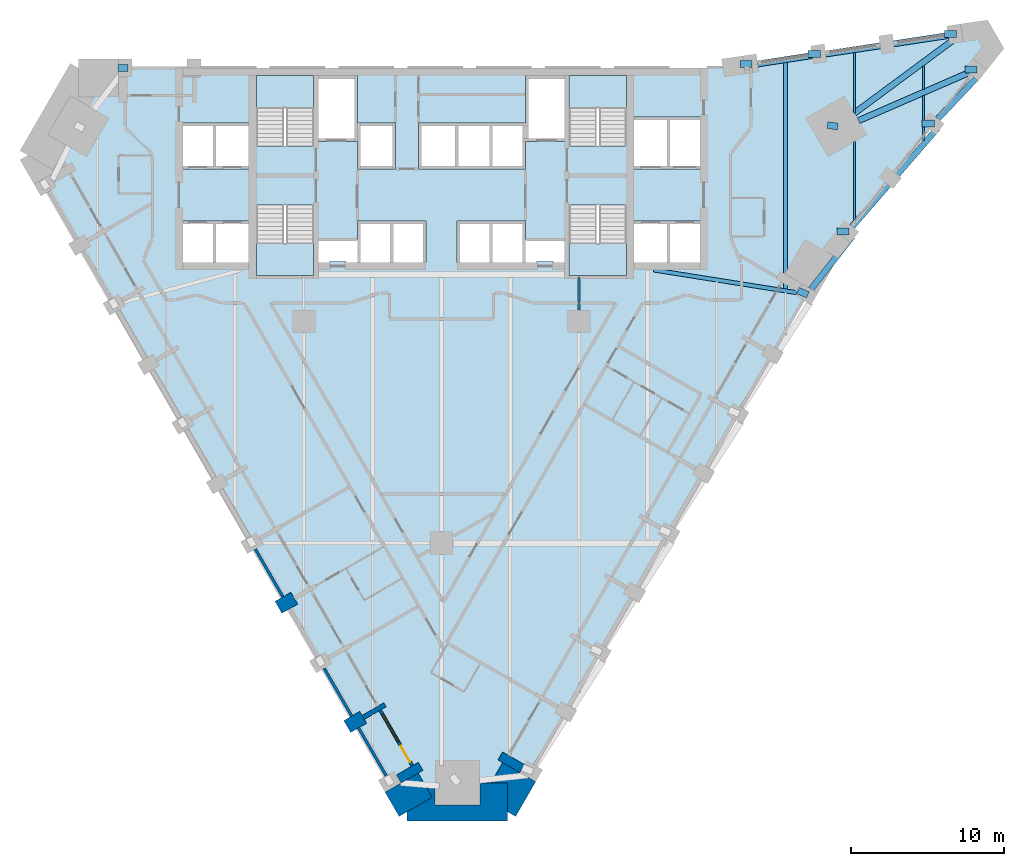
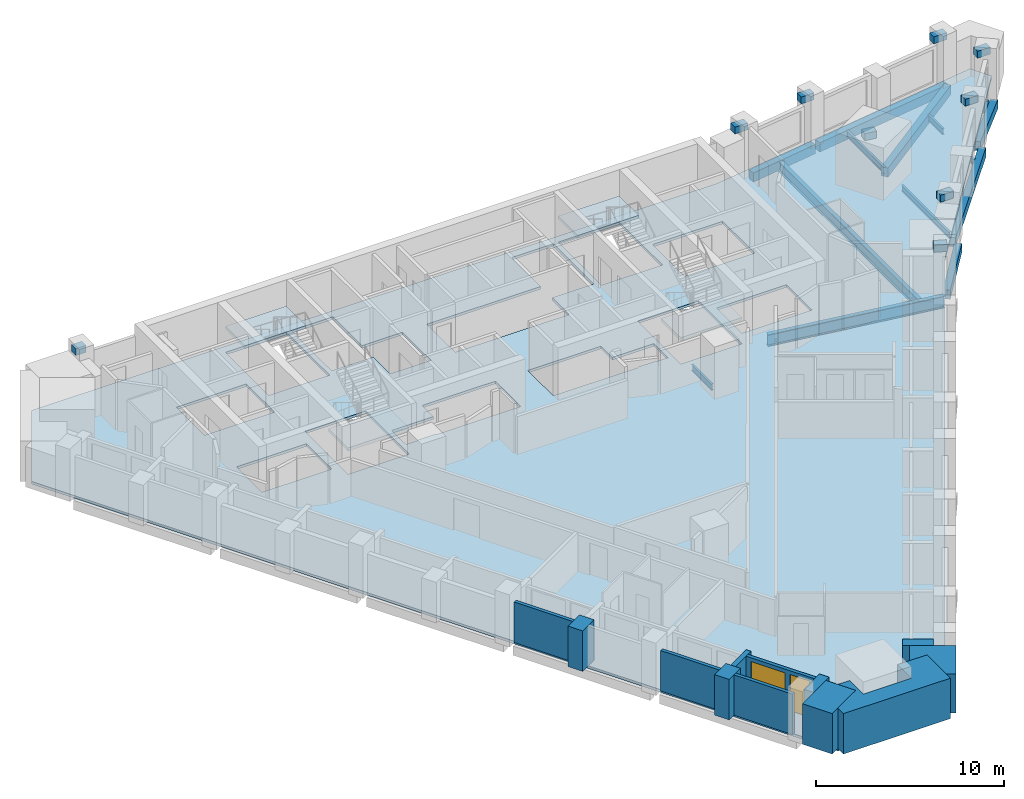
# One storey, part 2 of 10: 23 beams, 12 walls, 5 slabs, 1 door, 1 window, 2 openings, 4 elements without a shape of their own.
"""IFC4 building model written with IfcOpenShell, lengths in metres."""

from ifc_helpers import new_model, si_unit, direction, frame, frame_2d, origin, origin_2d, place, context, subcontext, project, spatial, polyline, rectangle, i_section, outline, extrude, material, layer, layer_set, material_profile, profile_set, type_object, element, fill, aggregate, save


model = new_model("IFC4")

# Units and contexts
model_context = context("Model", 3, precision=1e-05, world=origin(), true_north=direction((0.0, 1.0)))
body_context = subcontext(model_context, "Body", "Model", "MODEL_VIEW")
ifc_project = project(units=[si_unit("LENGTHUNIT", "METRE"), si_unit("AREAUNIT", "SQUARE_METRE"), si_unit("VOLUMEUNIT", "CUBIC_METRE"), si_unit("PLANEANGLEUNIT", "RADIAN"), si_unit("MASSUNIT", "GRAM", prefix="KILO")], contexts=[model_context])

# Site, building, storey
site_placement = place(None, origin())
site = spatial("IfcSite", under=ifc_project, at=site_placement, CompositionType="ELEMENT")
building_placement = place(site_placement, origin())
building = spatial("IfcBuilding", under=site, at=building_placement, Name="Calabash Gate Tower", CompositionType="ELEMENT")
storey_placement = place(building_placement, frame((0.0, 0.0, 108.800048828125)))
storey = spatial("IfcBuildingStorey", under=building, at=storey_placement, Name="L24", CompositionType="ELEMENT", Elevation=108.800048828125)

# Beams
ifc_material_1 = material(Name="Concrete C80/95", Category="concrete")
ifc_material_profile_1 = material_profile(ifc_material_1, rectangle(XDim=0.449951171875, YDim=0.449951171875, at=origin_2d()))
ifc_profile_set_1 = profile_set([ifc_material_profile_1], Name="Concrete C80/95")
beam_type_1 = type_object("IfcBeamType", Name="Column offset link RC 450x450 Concrete C80/95", PredefinedType="BEAM", material=ifc_profile_set_1)
beam_1_placement = place(storey_placement, frame((25.906005859375, 15.22998046875, 3.00390625), z_axis=(-0.989877870012, 0.141921818127, 0.0), x_axis=(-0.141921818127, -0.989877870012, 0.0)))
element("IfcBeam", 1, at=beam_1_placement, inside=storey, type_object=beam_type_1, Name="Column offset link L24 NE", PredefinedType="BEAM", context=body_context, shape_type="SweptSolid", body=[
    extrude(rectangle(XDim=0.449951171875, YDim=0.449951171875, at=origin_2d()), origin(), (0.0, 0.0, 1.0), 0.682861328125),
])
beam_2_placement = place(storey_placement, frame((23.958984375, 4.22900390625, 3.00390625), z_axis=(-0.92144972824, 0.388497616886, 0.0), x_axis=(-0.388497616886, -0.92144972824, 0.0)))
element("IfcBeam", 2, at=beam_2_placement, inside=storey, type_object=beam_type_1, Name="Column offset link L24 P12", PredefinedType="BEAM", context=body_context, shape_type="SweptSolid", body=[
    extrude(rectangle(XDim=0.449951171875, YDim=0.449951171875, at=origin_2d()), origin(), (0.0, 0.0, 1.0), 0.71826171875),
])
beam_3_placement = place(storey_placement, frame((26.639892578125, 8.366943359375, 3.00390625), z_axis=(-1.0, 0.0, 0.0), x_axis=(0.0, -1.0, 0.0)))
element("IfcBeam", 3, at=beam_3_placement, inside=storey, type_object=beam_type_1, Name="Column offset link L24 P13", PredefinedType="BEAM", context=body_context, shape_type="SweptSolid", body=[
    extrude(rectangle(XDim=0.449951171875, YDim=0.449951171875, at=origin_2d()), origin(), (0.0, 0.0, 1.0), 0.796875),
])
beam_4_placement = place(storey_placement, frame((24.76806640625, 19.970947265625, 3.00390625), z_axis=(-1.0, 0.0, 0.0), x_axis=(0.0, -1.0, 0.0)))
element("IfcBeam", 4, at=beam_4_placement, inside=storey, type_object=beam_type_1, Name="Column offset link L24 P16", PredefinedType="BEAM", context=body_context, shape_type="SweptSolid", body=[
    extrude(rectangle(XDim=0.449951171875, YDim=0.449951171875, at=origin_2d()), origin(), (0.0, 0.0, 1.0), 0.796142578125),
])
beam_5_placement = place(storey_placement, frame((-20.5029296875, 19.052978515625, 3.00390625), z_axis=(-1.0, 0.0, 0.0), x_axis=(0.0, -1.0, 0.0)))
element("IfcBeam", 5, at=beam_5_placement, inside=storey, type_object=beam_type_1, Name="Column offset link L24 P17", PredefinedType="BEAM", context=body_context, shape_type="SweptSolid", body=[
    extrude(rectangle(XDim=0.449951171875, YDim=0.449951171875, at=origin_2d()), origin(), (0.0, 0.0, 1.0), 0.630126953125),
])
beam_6_placement = place(storey_placement, frame((32.221923828125, 15.424072265625, 3.00390625), z_axis=(-1.0, 0.0, 0.0), x_axis=(0.0, -1.0, 0.0)))
element("IfcBeam", 6, at=beam_6_placement, inside=storey, type_object=beam_type_1, Name="Column offset link L24 P21", PredefinedType="BEAM", context=body_context, shape_type="SweptSolid", body=[
    extrude(rectangle(XDim=0.449951171875, YDim=0.449951171875, at=origin_2d()), origin(), (0.0, 0.0, 1.0), 0.7958984375),
])
beam_7_placement = place(storey_placement, frame((35.013916015625, 18.9541015625, 3.00390625), z_axis=(-1.0, 0.0, 0.0), x_axis=(0.0, -1.0, 0.0)))
element("IfcBeam", 7, at=beam_7_placement, inside=storey, type_object=beam_type_1, Name="Column offset link L24 P22", PredefinedType="BEAM", context=body_context, shape_type="SweptSolid", body=[
    extrude(rectangle(XDim=0.449951171875, YDim=0.449951171875, at=origin_2d()), origin(), (0.0, 0.0, 1.0), 0.796875),
])
beam_8_placement = place(storey_placement, frame((33.673095703125, 21.27587890625, 3.00390625), z_axis=(-1.0, 0.0, 0.0), x_axis=(0.0, -1.0, 0.0)))
element("IfcBeam", 8, at=beam_8_placement, inside=storey, type_object=beam_type_1, Name="Column offset link L24 P23", PredefinedType="BEAM", context=body_context, shape_type="SweptSolid", body=[
    extrude(rectangle(XDim=0.449951171875, YDim=0.449951171875, at=origin_2d()), origin(), (0.0, 0.0, 1.0), 0.797119140625),
])
beam_9_placement = place(storey_placement, frame((20.31591796875, 19.318115234375, 3.00390625), z_axis=(-1.0, 0.0, 0.0), x_axis=(0.0, -1.0, 0.0)))
element("IfcBeam", 9, at=beam_9_placement, inside=storey, type_object=beam_type_1, Name="Column offset link L24 P24", PredefinedType="BEAM", context=body_context, shape_type="SweptSolid", body=[
    extrude(rectangle(XDim=0.449951171875, YDim=0.449951171875, at=origin_2d()), origin(), (0.0, 0.0, 1.0), 0.796875),
])
ifc_material_2 = material(Name="Concrete C60/75", Category="concrete")
ifc_material_profile_2 = material_profile(ifc_material_2, rectangle(XDim=0.39990234375, YDim=0.60009765625, at=origin_2d()))
ifc_profile_set_2 = profile_set([ifc_material_profile_2], Name="Concrete C60/75")
beam_type_2 = type_object("IfcBeamType", Name="Edge beam RC 400x600 Concrete C60/75", PredefinedType="BEAM", material=ifc_profile_set_2)
beam_10_placement = place(storey_placement, frame((24.159912109375, 4.60009765625, -0.469970703125), z_axis=(0.616370009033, 0.787456673072, 0.0), x_axis=(-0.787456673072, 0.616370009033, 0.0)))
element("IfcBeam", 10, at=beam_10_placement, inside=storey, type_object=beam_type_2, Name="Edge beam L24 10", PredefinedType="BEAM", context=body_context, shape_type="SweptSolid", body=[
    extrude(rectangle(XDim=0.39990234375, YDim=0.60009765625, at=origin_2d()), origin(), (0.0, 0.0, 1.0), 4.370849609375),
])
beam_11_placement = place(storey_placement, frame((26.83203125, 8.66796875, -0.469970703125), z_axis=(0.655025203749, 0.755607029119, 0.0), x_axis=(-0.755607029119, 0.655025203749, 0.0)))
element("IfcBeam", 11, at=beam_11_placement, inside=storey, type_object=beam_type_2, Name="Edge beam L24 11", PredefinedType="BEAM", context=body_context, shape_type="SweptSolid", body=[
    extrude(rectangle(XDim=0.39990234375, YDim=0.60009765625, at=origin_2d()), origin(), (0.0, 0.0, 1.0), 8.54150390625),
])
beam_12_placement = place(storey_placement, frame((32.43701171875, 15.72412109375, -0.469970703125), z_axis=(0.685684369874, 0.727898993618, 0.0), x_axis=(-0.727898993618, 0.685684369874, 0.0)))
element("IfcBeam", 12, at=beam_12_placement, inside=storey, type_object=beam_type_2, Name="Edge beam L24 12", PredefinedType="BEAM", context=body_context, shape_type="SweptSolid", body=[
    extrude(rectangle(XDim=0.39990234375, YDim=0.60009765625, at=origin_2d()), origin(), (0.0, 0.0, 1.0), 4.025146484375),
])
beam_13_placement = place(storey_placement, frame((34.85205078125, 18.9140625, -0.469970703125), z_axis=(-0.917076156133, -0.398712081398, 0.0), x_axis=(0.398712081398, -0.917076156133, 0.0)))
element("IfcBeam", 13, at=beam_13_placement, inside=storey, type_object=beam_type_2, Name="Edge beam L24 13", PredefinedType="BEAM", context=body_context, shape_type="SweptSolid", body=[
    extrude(rectangle(XDim=0.39990234375, YDim=0.60009765625, at=origin_2d()), origin(), (0.0, 0.0, 1.0), 8.27197265625),
])
beam_14_placement = place(storey_placement, frame((26.989013671875, 16.096923828125, -0.469970703125), z_axis=(0.803977048401, 0.594660327955, 0.0), x_axis=(-0.594660327955, 0.803977048401, 0.0)))
element("IfcBeam", 14, at=beam_14_placement, inside=storey, type_object=beam_type_2, Name="Edge beam L24 14", PredefinedType="BEAM", context=body_context, shape_type="SweptSolid", body=[
    extrude(rectangle(XDim=0.39990234375, YDim=0.60009765625, at=origin_2d()), origin(), (0.0, 0.0, 1.0), 8.411865234375),
])
beam_15_placement = place(storey_placement, frame((33.737060546875, 21.27392578125, -0.469970703125), z_axis=(-0.988841625555, -0.148970599683, 0.0), x_axis=(0.148970599683, -0.988841625555, 0.0)))
element("IfcBeam", 15, at=beam_15_placement, inside=storey, type_object=beam_type_2, Name="Edge beam L24 15", PredefinedType="BEAM", context=body_context, shape_type="SweptSolid", body=[
    extrude(rectangle(XDim=0.39990234375, YDim=0.60009765625, at=origin_2d()), origin(), (0.0, 0.0, 1.0), 8.7333984375),
])
beam_16_placement = place(storey_placement, frame((24.83203125, 19.968017578125, -0.469970703125), z_axis=(-0.988255414285, -0.152811112607, 0.0), x_axis=(0.152811112607, -0.988255414285, 0.0)))
element("IfcBeam", 16, at=beam_16_placement, inside=storey, type_object=beam_type_2, Name="Edge beam L24 16", PredefinedType="BEAM", context=body_context, shape_type="SweptSolid", body=[
    extrude(rectangle(XDim=0.39990234375, YDim=0.60009765625, at=origin_2d()), origin(), (0.0, 0.0, 1.0), 4.23388671875),
])
ifc_material_3 = material(Name="Steel ASTM A992 Gr50", Category="steel")
ifc_material_profile_3 = material_profile(ifc_material_3, i_section(OverallWidth=0.1396484375, OverallDepth=0.398681640625, WebThickness=0.00634765625, FlangeThickness=0.0087890625, FilletRadius=0.01025390625, at=origin_2d()))
ifc_profile_set_3 = profile_set([ifc_material_profile_3], Name="Steel ASTM A992 Gr50")
beam_type_3 = type_object("IfcBeamType", Name="Floor beam W16x26 ASTM A992 Gr50", PredefinedType="BEAM", material=ifc_profile_set_3)
beam_17_placement = place(storey_placement, frame((9.0, 3.25, -0.369140625), z_axis=(0.0, 1.0, 0.0), x_axis=(-1.0, 0.0, 0.0)))
element("IfcBeam", 17, at=beam_17_placement, inside=storey, type_object=beam_type_3, Name="Floor beam L24 15", PredefinedType="BEAM", context=body_context, shape_type="SweptSolid", body=[
    extrude(i_section(OverallWidth=0.1396484375, OverallDepth=0.398681640625, WebThickness=0.00634765625, FlangeThickness=0.0087890625, FilletRadius=0.01025390625, at=origin_2d()), origin(), (0.0, 0.0, 1.0), 2.153076171875),
])
beam_18_placement = place(storey_placement, frame((27.0, 9.139892578125, -0.369140625), z_axis=(0.0, 1.0, 0.0), x_axis=(-1.0, 0.0, 0.0)))
element("IfcBeam", 18, at=beam_18_placement, inside=storey, type_object=beam_type_3, Name="Floor beam L24 20", PredefinedType="BEAM", context=body_context, shape_type="SweptSolid", body=[
    extrude(i_section(OverallWidth=0.1396484375, OverallDepth=0.398681640625, WebThickness=0.00634765625, FlangeThickness=0.0087890625, FilletRadius=0.01025390625, at=origin_2d()), origin(), (0.0, 0.0, 1.0), 5.108154296875),
])
beam_19_placement = place(storey_placement, frame((27.0, 16.10400390625, -0.369140625), z_axis=(0.0, 1.0, 0.0), x_axis=(-1.0, 0.0, 0.0)))
element("IfcBeam", 19, at=beam_19_placement, inside=storey, type_object=beam_type_3, Name="Floor beam L24 21", PredefinedType="BEAM", context=body_context, shape_type="SweptSolid", body=[
    extrude(i_section(OverallWidth=0.1396484375, OverallDepth=0.398681640625, WebThickness=0.00634765625, FlangeThickness=0.0087890625, FilletRadius=0.01025390625, at=origin_2d()), origin(), (0.0, 0.0, 1.0), 3.97607421875),
])
beam_20_placement = place(storey_placement, frame((31.5, 14.3330078125, -0.369140625), z_axis=(0.0, 1.0, 0.0), x_axis=(-1.0, 0.0, 0.0)))
element("IfcBeam", 20, at=beam_20_placement, inside=storey, type_object=beam_type_3, Name="Floor beam L24 22", PredefinedType="BEAM", context=body_context, shape_type="SweptSolid", body=[
    extrude(i_section(OverallWidth=0.1396484375, OverallDepth=0.398681640625, WebThickness=0.00634765625, FlangeThickness=0.0087890625, FilletRadius=0.01025390625, at=origin_2d()), origin(), (0.0, 0.0, 1.0), 2.927978515625),
])
beam_21_placement = place(storey_placement, frame((31.5, 17.653076171875, -0.369140625), z_axis=(0.0, 1.0, 0.0), x_axis=(-1.0, 0.0, 0.0)))
element("IfcBeam", 21, at=beam_21_placement, inside=storey, type_object=beam_type_3, Name="Floor beam L24 23", PredefinedType="BEAM", context=body_context, shape_type="SweptSolid", body=[
    extrude(i_section(OverallWidth=0.1396484375, OverallDepth=0.398681640625, WebThickness=0.00634765625, FlangeThickness=0.0087890625, FilletRadius=0.01025390625, at=origin_2d()), origin(), (0.0, 0.0, 1.0), 1.5439453125),
])
ifc_material_4 = material(Name="Steel ASTM A992 Gr50", Category="steel")
ifc_material_profile_4 = material_profile(ifc_material_4, i_section(OverallWidth=0.25390625, OverallDepth=0.67822265625, WebThickness=0.01171875, FlangeThickness=0.016357421875, FilletRadius=0.01513671875, at=origin_2d()))
ifc_profile_set_4 = profile_set([ifc_material_profile_4], Name="Steel ASTM A992 Gr50")
beam_type_4 = type_object("IfcBeamType", Name="Floor beam W27x84 ASTM A992 Gr50", PredefinedType="BEAM", material=ifc_profile_set_4)
beam_22_placement = place(storey_placement, frame((22.5, 4.587890625, -0.509033203125), z_axis=(0.0, 1.0, 0.0), x_axis=(-1.0, 0.0, 0.0)))
element("IfcBeam", 22, at=beam_22_placement, inside=storey, type_object=beam_type_4, Name="Floor beam L24 19", PredefinedType="BEAM", context=body_context, shape_type="SweptSolid", body=[
    extrude(i_section(OverallWidth=0.25390625, OverallDepth=0.67822265625, WebThickness=0.01171875, FlangeThickness=0.016357421875, FilletRadius=0.01513671875, at=origin_2d()), origin(), (0.0, 0.0, 1.0), 14.8330078125),
])
ifc_material_5 = material(Name="Steel ASTM A992 Gr50", Category="steel")
ifc_material_profile_5 = material_profile(ifc_material_5, i_section(OverallWidth=0.2666015625, OverallDepth=0.77978515625, WebThickness=0.0166015625, FlangeThickness=0.030029296875, FilletRadius=0.0166015625, at=origin_2d()))
ifc_profile_set_5 = profile_set([ifc_material_profile_5], Name="Steel ASTM A992 Gr50")
beam_type_5 = type_object("IfcBeamType", Name="Girder W30x148 ASTM A992 Gr50", PredefinedType="BEAM", material=ifc_profile_set_5)
beam_23_placement = place(storey_placement, frame((23.806884765625, 4.277099609375, -0.56005859375), z_axis=(-0.987618770921, 0.156873080305, 0.0), x_axis=(-0.156873080305, -0.987618770921, 0.0)))
element("IfcBeam", 23, at=beam_23_placement, inside=storey, type_object=beam_type_5, Name="Girder L24 3", PredefinedType="BEAM", context=body_context, shape_type="SweptSolid", body=[
    extrude(i_section(OverallWidth=0.2666015625, OverallDepth=0.77978515625, WebThickness=0.0166015625, FlangeThickness=0.030029296875, FilletRadius=0.0166015625, at=origin_2d()), origin(), (0.0, 0.0, 1.0), 10.064453125),
])

# Slab
ifc_material_6 = material(Name="Concrete C40/50", Category="concrete")
ifc_layer_1 = layer(ifc_material_6, 0.169921875)
ifc_layer_set_1 = layer_set([ifc_layer_1], Name="Composite floor slab 170 Concrete C40/50")
slab_type_1 = type_object("IfcSlabType", Name="Composite floor slab 170 Concrete C40/50", PredefinedType="FLOOR", material=ifc_layer_set_1)
slab_1_placement = place(storey_placement, frame((0.0, 0.0, -0.170166015625)))
element("IfcSlab", 24, at=slab_1_placement, inside=storey, type_object=slab_type_1, Name="Floor slab L24", PredefinedType="FLOOR", context=body_context, shape_type="SweptSolid", body=[
    extrude(outline(polyline([(-27.03125, 13.3544921875), (-23.741455078125, 19.052490234375), (18.4033203125, 19.052490234375), (35.385498046875, 21.54150390625), (36.050048828125, 20.390625), (25.4033203125, 6.92822265625), (4.3310546875, -29.5703125), (-2.24853515625, -29.5703125), (-27.03125, 13.3544921875)]), holes=[polyline([(-5.5, 9.052490234375), (-5.5, 7.8525390625), (-8.050048828125, 7.8525390625), (-8.050048828125, 6.3525390625), (-7.324951171875, 6.3525390625), (-7.324951171875, 6.402587890625), (-6.22509765625, 6.402587890625), (-6.22509765625, 6.3525390625), (-5.5, 6.3525390625), (-3.25, 6.3525390625), (-1.0, 6.3525390625), (-1.0, 9.052490234375), (-3.25, 9.052490234375), (-5.5, 9.052490234375)]), polyline([(5.5, 9.052490234375), (3.25, 9.052490234375), (1.0, 9.052490234375), (1.0, 6.3525390625), (3.25, 6.3525390625), (5.5, 6.3525390625), (6.22509765625, 6.3525390625), (6.22509765625, 6.402587890625), (7.324951171875, 6.402587890625), (7.324951171875, 6.3525390625), (8.050048828125, 6.3525390625), (8.050048828125, 7.8525390625), (5.5, 7.8525390625), (5.5, 9.052490234375)]), polyline([(-5.5, 14.252685546875), (-5.5, 12.45263671875), (-3.0, 12.45263671875), (-3.0, 15.45263671875), (-5.5, 15.45263671875), (-5.5, 18.552490234375), (-8.050048828125, 18.552490234375), (-8.050048828125, 14.252685546875), (-5.5, 14.252685546875)]), polyline([(8.050048828125, 18.552490234375), (5.5, 18.552490234375), (5.5, 15.45263671875), (3.25, 15.45263671875), (1.0, 15.45263671875), (-1.5, 15.45263671875), (-1.5, 12.45263671875), (1.0, 12.45263671875), (3.25, 12.45263671875), (5.5, 12.45263671875), (5.5, 14.252685546875), (8.050048828125, 14.252685546875), (8.050048828125, 18.552490234375)]), polyline([(-12.60009765625, 6.3525390625), (-12.60009765625, 9.052490234375), (-14.85009765625, 9.052490234375), (-16.89990234375, 9.052490234375), (-16.89990234375, 6.3525390625), (-14.85009765625, 6.3525390625), (-12.60009765625, 6.3525390625)]), polyline([(-14.85009765625, 12.45263671875), (-12.60009765625, 12.45263671875), (-12.60009765625, 15.45263671875), (-14.85009765625, 15.45263671875), (-16.89990234375, 15.45263671875), (-16.89990234375, 12.45263671875), (-14.85009765625, 12.45263671875)]), polyline([(14.85009765625, 6.3525390625), (16.89990234375, 6.3525390625), (16.89990234375, 9.052490234375), (14.85009765625, 9.052490234375), (12.60009765625, 9.052490234375), (12.60009765625, 6.3525390625), (14.85009765625, 6.3525390625)]), polyline([(14.85009765625, 12.45263671875), (16.89990234375, 12.45263671875), (16.89990234375, 15.8525390625), (14.85009765625, 15.8525390625), (12.60009765625, 15.8525390625), (12.60009765625, 12.45263671875), (14.85009765625, 12.45263671875)]), polyline([(-8.35009765625, 18.552490234375), (-12.10009765625, 18.552490234375), (-12.10009765625, 13.95263671875), (-8.35009765625, 13.95263671875), (-8.35009765625, 18.552490234375)]), polyline([(-12.10009765625, 10.1025390625), (-12.10009765625, 5.502685546875), (-8.35009765625, 5.502685546875), (-8.35009765625, 10.1025390625), (-12.10009765625, 10.1025390625)]), polyline([(8.35009765625, 13.95263671875), (12.10009765625, 13.95263671875), (12.10009765625, 18.552490234375), (8.35009765625, 18.552490234375), (8.35009765625, 13.95263671875)]), polyline([(12.10009765625, 5.502685546875), (12.10009765625, 10.1025390625), (8.35009765625, 10.1025390625), (8.35009765625, 5.502685546875), (12.10009765625, 5.502685546875)])]), origin(), (0.0, 0.0, 1.0), 0.170166015625),
])

# Stair, slab
ifc_material_7 = material(Name="Concrete C40/50", Category="concrete")
stair_type = type_object("IfcStairType", Name="Exit stair 20 risers of 170 mm", PredefinedType="HALF_TURN_STAIR", material=ifc_material_7)
stair_1_placement = place(storey_placement, origin())
stair_1 = element("IfcStair", 25, at=stair_1_placement, inside=storey, type_object=stair_type, Name="L24 Exit stair ST1", PredefinedType="HALF_TURN_STAIR")
ifc_material_8 = material(Name="Concrete C40/50", Category="concrete")
ifc_layer_2 = layer(ifc_material_8, 0.199951171875)
ifc_layer_set_2 = layer_set([ifc_layer_2], Name="Stair landing SL200")
slab_type_2 = type_object("IfcSlabType", Name="Stair landing SL200", PredefinedType="LANDING", material=ifc_layer_set_2)
slab_2_placement = place(storey_placement, frame((0.0, 0.0, 1.5)))
slab_2 = element("IfcSlab", 26, at=slab_2_placement, type_object=slab_type_2, Name="ST1 landing 1", PredefinedType="LANDING", context=body_context, shape_type="SweptSolid", body=[
    extrude(outline(polyline([(-8.35009765625, 16.463623046875), (-8.35009765625, 18.552490234375), (-12.10009765625, 18.552490234375), (-12.10009765625, 16.463623046875), (-8.35009765625, 16.463623046875)])), origin(), (0.0, 0.0, 1.0), 0.199951171875),
])
aggregate(stair_1, [slab_2])

stair_2_placement = place(storey_placement, origin())
stair_2 = element("IfcStair", 27, at=stair_2_placement, inside=storey, type_object=stair_type, Name="L24 Exit stair ST2", PredefinedType="HALF_TURN_STAIR")
slab_3_placement = place(storey_placement, frame((0.0, 0.0, 1.5)))
slab_3 = element("IfcSlab", 28, at=slab_3_placement, type_object=slab_type_2, Name="ST2 landing 1", PredefinedType="LANDING", context=body_context, shape_type="SweptSolid", body=[
    extrude(outline(polyline([(-12.10009765625, 7.591552734375), (-12.10009765625, 5.502685546875), (-8.35009765625, 5.502685546875), (-8.35009765625, 7.591552734375), (-12.10009765625, 7.591552734375)])), origin(), (0.0, 0.0, 1.0), 0.199951171875),
])
aggregate(stair_2, [slab_3])

stair_3_placement = place(storey_placement, origin())
stair_3 = element("IfcStair", 29, at=stair_3_placement, inside=storey, type_object=stair_type, Name="L24 Exit stair ST3", PredefinedType="HALF_TURN_STAIR")
slab_4_placement = place(storey_placement, frame((0.0, 0.0, 1.5)))
slab_4 = element("IfcSlab", 30, at=slab_4_placement, type_object=slab_type_2, Name="ST3 landing 1", PredefinedType="LANDING", context=body_context, shape_type="SweptSolid", body=[
    extrude(outline(polyline([(12.10009765625, 16.463623046875), (12.10009765625, 18.552490234375), (8.35009765625, 18.552490234375), (8.35009765625, 16.463623046875), (12.10009765625, 16.463623046875)])), origin(), (0.0, 0.0, 1.0), 0.199951171875),
])
aggregate(stair_3, [slab_4])

stair_4_placement = place(storey_placement, origin())
stair_4 = element("IfcStair", 31, at=stair_4_placement, inside=storey, type_object=stair_type, Name="L24 Exit stair ST4", PredefinedType="HALF_TURN_STAIR")
slab_5_placement = place(storey_placement, frame((0.0, 0.0, 1.5)))
slab_5 = element("IfcSlab", 32, at=slab_5_placement, type_object=slab_type_2, Name="ST4 landing 1", PredefinedType="LANDING", context=body_context, shape_type="SweptSolid", body=[
    extrude(outline(polyline([(8.35009765625, 7.591552734375), (8.35009765625, 5.502685546875), (12.10009765625, 5.502685546875), (12.10009765625, 7.591552734375), (8.35009765625, 7.591552734375)])), origin(), (0.0, 0.0, 1.0), 0.199951171875),
])
aggregate(stair_4, [slab_5])

# Walls
ifc_material_9 = material(Name="Terracotta brick masonry, exposed face", Category="masonry")
ifc_layer_3 = layer(ifc_material_9, 2.5)
ifc_layer_set_3 = layer_set([ifc_layer_3], Name="Brick corner mass wall 2500")
wall_type_1 = type_object("IfcWallType", Name="Brick corner mass wall 2500", PredefinedType="SOLIDWALL", material=ifc_layer_set_3)
wall_1_placement = place(storey_placement, origin())
element("IfcWall", 33, at=wall_1_placement, inside=storey, type_object=wall_type_1, Name="Brick corner pier S06 1a", PredefinedType="SOLIDWALL", context=body_context, shape_type="SweptSolid", body=[
    extrude(outline(polyline([(-0.60302734375, -28.6201171875), (-1.51953125, -27.033203125), (-3.6845703125, -28.283203125), (-2.76806640625, -29.8701171875), (-0.60302734375, -28.6201171875)])), origin(), (0.0, 0.0, 1.0), 2.6298828125),
])
wall_2_placement = place(storey_placement, origin())
element("IfcWall", 34, at=wall_2_placement, inside=storey, type_object=wall_type_1, Name="Brick corner pier S06 1b", PredefinedType="SOLIDWALL", context=body_context, shape_type="SweptSolid", body=[
    extrude(outline(polyline([(-0.43408203125, -27.670166015625), (-1.151611328125, -27.670166015625), (-0.60302734375, -28.6201171875), (-2.24853515625, -29.5703125), (-2.24853515625, -30.170166015625), (4.3310546875, -30.170166015625), (4.3310546875, -27.670166015625), (2.51611328125, -27.670166015625), (2.51611328125, -29.1259765625), (-0.43408203125, -29.1259765625), (-0.43408203125, -27.670166015625)])), origin(), (0.0, 0.0, 1.0), 2.6298828125),
])
wall_3_placement = place(storey_placement, origin())
element("IfcWall", 35, at=wall_3_placement, inside=storey, type_object=wall_type_1, Name="Brick corner pier S06 1c", PredefinedType="SOLIDWALL", context=body_context, shape_type="SweptSolid", body=[
    extrude(outline(polyline([(6.161865234375, -27.59912109375), (3.996826171875, -26.34912109375), (3.23388671875, -27.670166015625), (4.3310546875, -27.670166015625), (4.3310546875, -29.5703125), (4.8505859375, -29.8701171875), (6.161865234375, -27.59912109375)])), origin(), (0.0, 0.0, 1.0), 2.5517578125),
])
ifc_material_10 = material(Name="Terracotta brick masonry, exposed face", Category="masonry")
ifc_layer_4 = layer(ifc_material_10, 1.199951171875)
ifc_layer_set_4 = layer_set([ifc_layer_4], Name="Brick end wall 1200")
wall_type_2 = type_object("IfcWallType", Name="Brick end wall 1200", PredefinedType="SOLIDWALL", material=ifc_layer_set_4)
for number, where, z_axis, x_axis, name in (
    (36, (-10.659423828125, -16.2021484375, 0.0), (0.0, 0.0, 1.0), (0.865955154139, 0.50012165622, 0.0), "Brick pier S06 SW0.7"),
    (37, (-6.159423828125, -23.996337890625, 0.0), (0.0, 0.0, 1.0), (0.865955154139, 0.50012165622, 0.0), "Brick pier S06 SW0.9"),
):
    element("IfcWall", number, at=place(storey_placement, frame(where, z_axis=z_axis, x_axis=x_axis)), inside=storey, type_object=wall_type_2, Name=name, PredefinedType="SOLIDWALL", context=body_context, shape_type="SweptSolid", body=[
        extrude(rectangle(XDim=1.199951171875, YDim=0.89990234375, at=frame_2d((0.60009765625, 0.0))), origin(), (0.0, 0.0, 1.0), 2.6298828125),
    ])
ifc_material_11 = material(Name="Terracotta brick masonry, exposed face", Category="masonry")
ifc_layer_5 = layer(ifc_material_11, 0.300048828125)
ifc_layer_set_5 = layer_set([ifc_layer_5], Name="Brick loggia cheek wall 300")
wall_type_3 = type_object("IfcWallType", Name="Brick loggia cheek wall 300", PredefinedType="SOLIDWALL", material=ifc_layer_set_5)
wall_4_placement = place(storey_placement, frame((-3.69140625, -22.5712890625, 0.0), z_axis=(0.0, 0.0, 1.0), x_axis=(-0.866040211805, -0.499974350878, 0.0)))
element("IfcWall", 38, at=wall_4_placement, inside=storey, type_object=wall_type_3, Name="Loggia cheek S06 SW0.9", PredefinedType="SOLIDWALL", context=body_context, shape_type="SweptSolid", body=[
    extrude(rectangle(XDim=1.64990234375, YDim=0.300048828125, at=frame_2d((0.824951171875, 0.0))), origin(), (0.0, 0.0, 1.0), 2.6279296875),
])
wall_5_placement = place(storey_placement, frame((-2.795166015625, -27.42333984375, 0.0), z_axis=(0.0, 0.0, 1.0), x_axis=(0.866040211805, 0.499974350878, 0.0)))
element("IfcWall", 39, at=wall_5_placement, inside=storey, type_object=wall_type_3, Name="Loggia cheek S06 SW0.10", PredefinedType="SOLIDWALL", context=body_context, shape_type="SweptSolid", body=[
    extrude(rectangle(XDim=1.64990234375, YDim=0.60009765625, at=frame_2d((0.824951171875, 0.0))), origin(), (0.0, 0.0, 1.0), 2.6298828125),
])
wall_6_placement = place(storey_placement, frame((5.2724609375, -26.739501953125, 0.0), z_axis=(0.0, 0.0, 1.0), x_axis=(-0.865976140824, 0.500085316245, 0.0)))
element("IfcWall", 40, at=wall_6_placement, inside=storey, type_object=wall_type_3, Name="Loggia cheek S06 SE2.0", PredefinedType="SOLIDWALL", context=body_context, shape_type="SweptSolid", body=[
    extrude(rectangle(XDim=1.650146484375, YDim=0.60009765625, at=frame_2d((0.8251953125, 0.0))), origin(), (0.0, 0.0, 1.0), 2.5517578125),
])
ifc_material_12 = material(Name="Terracotta brick masonry, perforated", Category="masonry")
ifc_layer_6 = layer(ifc_material_12, 0.199951171875)
ifc_layer_set_6 = layer_set([ifc_layer_6], Name="Terracotta jaali screen B")
wall_type_4 = type_object("IfcWallType", Name="Terracotta jaali screen B", PredefinedType="SOLIDWALL", material=ifc_layer_set_6)
for number, where, z_axis, x_axis, name in (
    (41, (-12.164794921875, -12.394775390625, 0.0), (0.0, 0.0, 1.0), (0.499961193289, -0.866047807691, 0.0), "SCREEN B S06 SW0.7"),
    (42, (-7.664794921875, -20.18896484375, 0.0), (0.0, 0.0, 1.0), (0.499961193289, -0.866047807691, 0.0), "SCREEN B S06 SW0.9"),
    (43, (-5.414794921875, -24.0859375, 0.0), (0.0, 0.0, 1.0), (0.499961193289, -0.866047807691, 0.0), "SCREEN B S06 SW0.10"),
):
    element("IfcWall", number, at=place(storey_placement, frame(where, z_axis=z_axis, x_axis=x_axis)), inside=storey, type_object=wall_type_4, Name=name, PredefinedType="SOLIDWALL", context=body_context, shape_type="SweptSolid", body=[
        extrude(rectangle(XDim=3.599853515625, YDim=0.199951171875, at=frame_2d((1.7998046875, 0.0))), origin(), (0.0, 0.0, 1.0), 2.6298828125),
    ])

# Wall, openings, door, window
ifc_material_13 = material(Name="Aluminium framed window wall with insulated spandrel", Category="aluminium")
ifc_layer_7 = layer(ifc_material_13, 0.199951171875)
ifc_layer_set_7 = layer_set([ifc_layer_7], Name="Window wall 200")
wall_type_5 = type_object("IfcWallType", Name="Window wall 200", PredefinedType="ELEMENTEDWALL", material=ifc_layer_set_7)
wall_7_placement = place(storey_placement, frame((-4.006103515625, -22.92626953125, 0.0), z_axis=(0.0, 0.0, 1.0), x_axis=(0.500027713859, -0.866009402589, 0.0)))
wall_7 = element("IfcWall", 44, at=wall_7_placement, inside=storey, type_object=wall_type_5, Name="Window wall S06 SW0.10", PredefinedType="ELEMENTEDWALL", context=body_context, shape_type="SweptSolid", body=[
    extrude(rectangle(XDim=4.199951171875, YDim=0.199951171875, at=frame_2d((2.10009765625, 0.0))), origin(), (0.0, 0.0, 1.0), 2.64990234375),
])
opening_1_placement = place(wall_7_placement, frame((0.300048828125, 0.0, 0.60009765625)))
opening_1 = element("IfcOpeningElement", 45, at=opening_1_placement, cuts=wall_7, Name="Opening HW1", PredefinedType="OPENING", context=body_context, shape_type="SweptSolid", body=[
    extrude(rectangle(XDim=2.10009765625, YDim=1.800048828125, at=frame_2d((1.050048828125, 0.89990234375))), frame((0.0, 0.10986328125, 0.0), z_axis=(0.0, -1.0, 0.0), x_axis=(1.0, 0.0, 0.0)), (0.0, 0.0, 1.0), 0.219970703125),
])
opening_2_placement = place(wall_7_placement, frame((2.699951171875, 0.0, 0.0)))
opening_2 = element("IfcOpeningElement", 46, at=opening_2_placement, cuts=wall_7, Name="Opening H6-026", PredefinedType="OPENING", context=body_context, shape_type="SweptSolid", body=[
    extrude(rectangle(XDim=1.199951171875, YDim=2.39990234375, at=frame_2d((0.60009765625, 1.199951171875))), frame((0.0, 0.10986328125, 0.0), z_axis=(0.0, -1.0, 0.0), x_axis=(1.0, 0.0, 0.0)), (0.0, 0.0, 1.0), 0.219970703125),
])
ifc_material_14 = material(Name="Anodised aluminium frame, bronze finish, impact-rated laminated clear glazing", Category="aluminium")
door_type = type_object("IfcDoorType", Name="Loggia door DH1 1200x2400", OperationType="SLIDING_TO_LEFT", PredefinedType="DOOR", material=ifc_material_14)
door_placement = place(opening_2_placement, origin())
door = element("IfcDoor", 47, at=door_placement, inside=storey, type_object=door_type, Name="Loggia door S06 SW0.10", OperationType="SINGLE_SWING_LEFT", OverallHeight=2.39990234375, OverallWidth=1.199951171875, PredefinedType="DOOR", context=body_context, shape_type="SweptSolid", body=[
    extrude(rectangle(XDim=1.199951171875, YDim=2.39990234375, at=frame_2d((0.60009765625, 1.199951171875))), frame((0.0, 0.02490234375, 0.0), z_axis=(0.0, -1.0, 0.0), x_axis=(1.0, 0.0, 0.0)), (0.0, 0.0, 1.0), 0.050048828125),
])
fill(opening_2, door)
ifc_material_15 = material(Name="Anodised aluminium frame, bronze finish, impact-rated laminated clear glazing", Category="aluminium")
window_type = type_object("IfcWindowType", Name="Window HW1 2100x1800", PartitioningType="DOUBLE_PANEL_VERTICAL", PredefinedType="WINDOW", material=ifc_material_15)
window_placement = place(opening_1_placement, origin())
window = element("IfcWindow", 48, at=window_placement, inside=storey, type_object=window_type, Name="Window HW1 S06 SW0.10", OverallHeight=1.800048828125, OverallWidth=2.10009765625, PartitioningType="SINGLE_PANEL", PredefinedType="WINDOW", context=body_context, shape_type="SweptSolid", body=[
    extrude(rectangle(XDim=2.10009765625, YDim=1.800048828125, at=frame_2d((1.050048828125, 0.89990234375))), frame((0.0, 0.030029296875, 0.0), z_axis=(0.0, -1.0, 0.0), x_axis=(1.0, 0.0, 0.0)), (0.0, 0.0, 1.0), 0.06005859375),
])
fill(opening_1, window)

save(model, "model.ifc")
